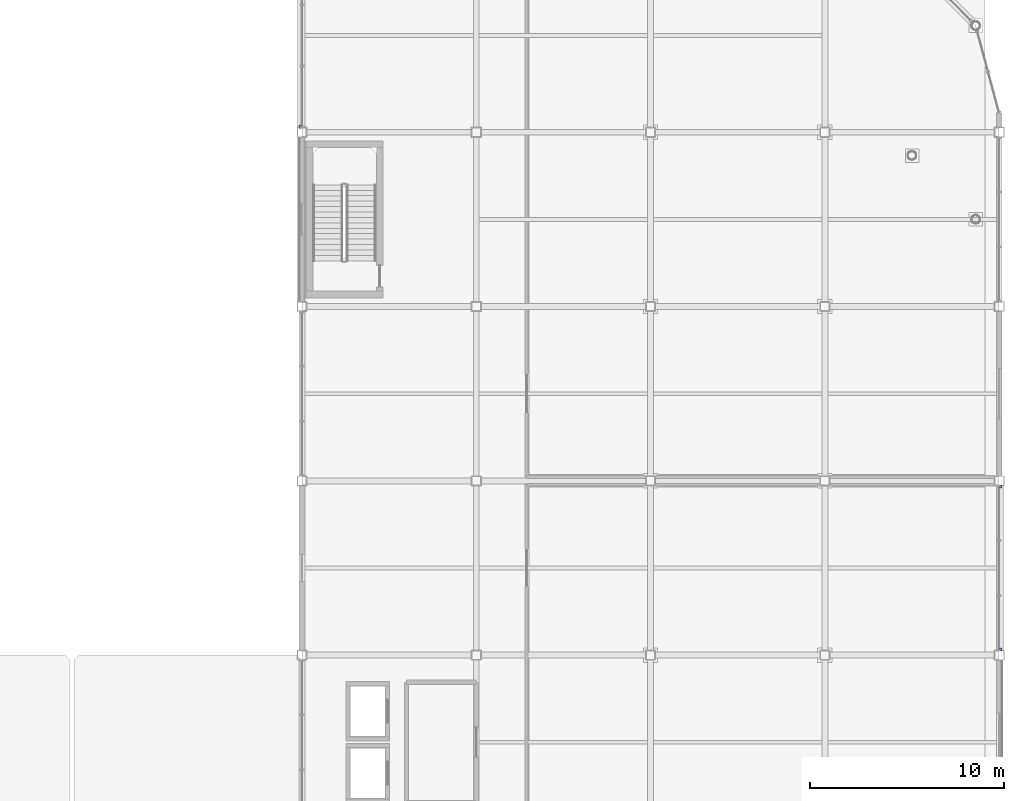
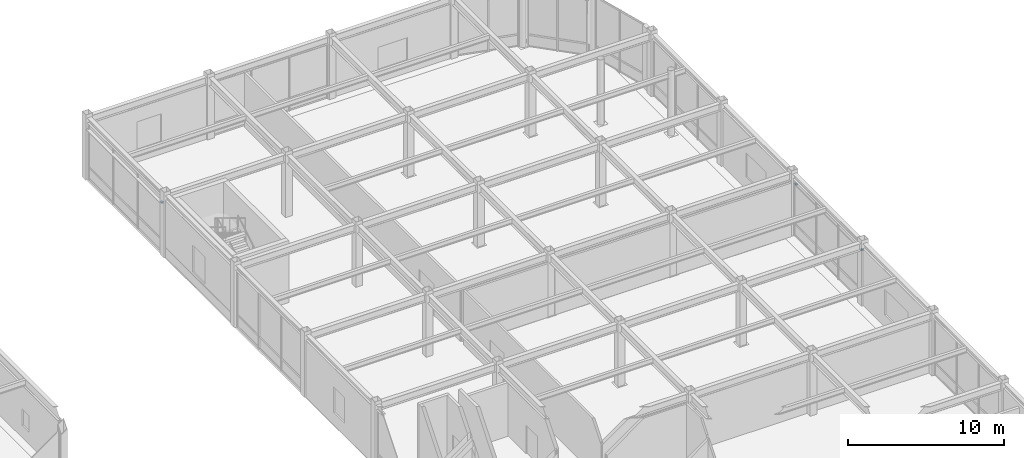
# One storey, part 104 of 123: 3 discrete accessories.
"""IFC4 building model written with IfcOpenShell, lengths in metres."""

from ifc_helpers import new_model, si_unit, direction, frame, origin, origin_2d, place, context, subcontext, project, spatial, rectangle, extrude, material, type_object, element, save


model = new_model("IFC4")

# Units and contexts
model_context = context("Model", 3, precision=1e-05, world=origin(), true_north=direction((0.0, 1.0)))
body_context = subcontext(model_context, "Body", "Model", "MODEL_VIEW")
ifc_project = project(units=[si_unit("LENGTHUNIT", "METRE"), si_unit("AREAUNIT", "SQUARE_METRE"), si_unit("VOLUMEUNIT", "CUBIC_METRE"), si_unit("PLANEANGLEUNIT", "RADIAN"), si_unit("MASSUNIT", "GRAM", prefix="KILO")], contexts=[model_context])

# Site, building, storey
site_placement = place(None, origin())
site = spatial("IfcSite", under=ifc_project, at=site_placement, CompositionType="ELEMENT")
building_placement = place(site_placement, origin())
building = spatial("IfcBuilding", under=site, at=building_placement, Name="Suzunagisa Mobility Hub", CompositionType="ELEMENT")
storey_placement = place(building_placement, origin())
storey = spatial("IfcBuildingStorey", under=building, at=storey_placement, Name="L00", CompositionType="ELEMENT", Elevation=0.0)

# Discrete accessories
ifc_material = material(Name="Stainless Steel SUS316", Category="metal")
discrete_accessory_type = type_object("IfcDiscreteAccessoryType", Name="Stainless Sunshade Outrigger Bracket BRK-01", PredefinedType="BRACKET", material=ifc_material)
for number, where, z_axis, x_axis, name in (
    (1, (180.0849609375, 71.282470703125, 3.949951171875), (0.0, 0.0, 1.0), (0.0, 1.0, 0.0), "Sunshade Outrigger Bracket BRK-37.1"),
    (2, (180.0849609375, 79.717529296875, 3.949951171875), (0.0, 0.0, 1.0), (0.0, 1.0, 0.0), "Sunshade Outrigger Bracket BRK-37.2"),
    (3, (143.9150390625, 98.282470703125, 3.949951171875), (0.0, 0.0, 1.0), (0.0, -1.0, 0.0), "Sunshade Outrigger Bracket BRK-38.2"),
):
    element("IfcDiscreteAccessory", number, at=place(storey_placement, frame(where, z_axis=z_axis, x_axis=x_axis)), inside=storey, type_object=discrete_accessory_type, Name=name, PredefinedType="BRACKET", context=body_context, shape_type="SweptSolid", body=[
        extrude(rectangle(XDim=0.159912109375, YDim=0.1201171875, at=origin_2d()), origin(), (0.0, 0.0, 1.0), 0.080078125),
    ])

save(model, "model.ifc")
